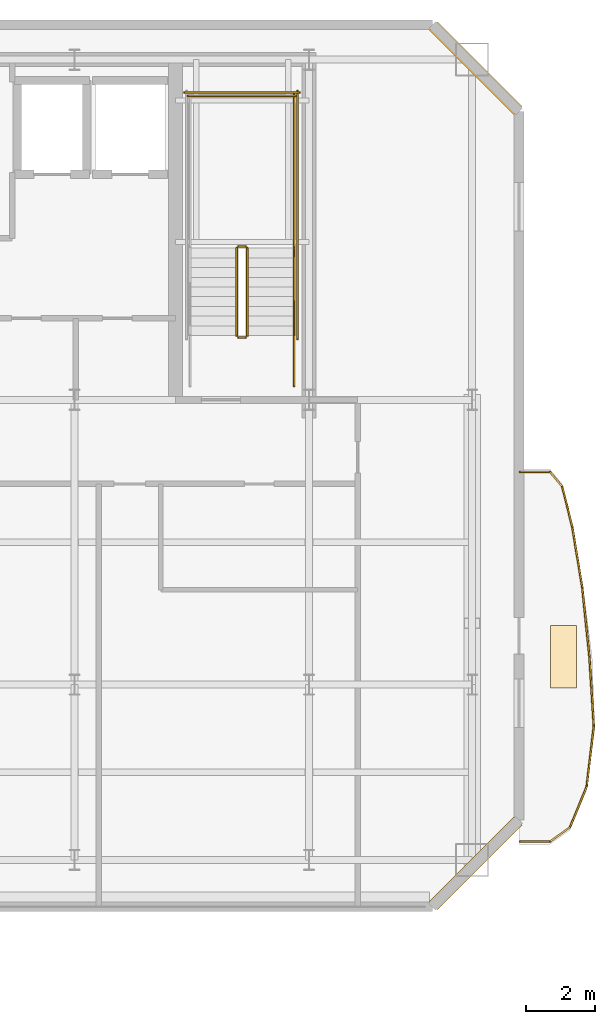
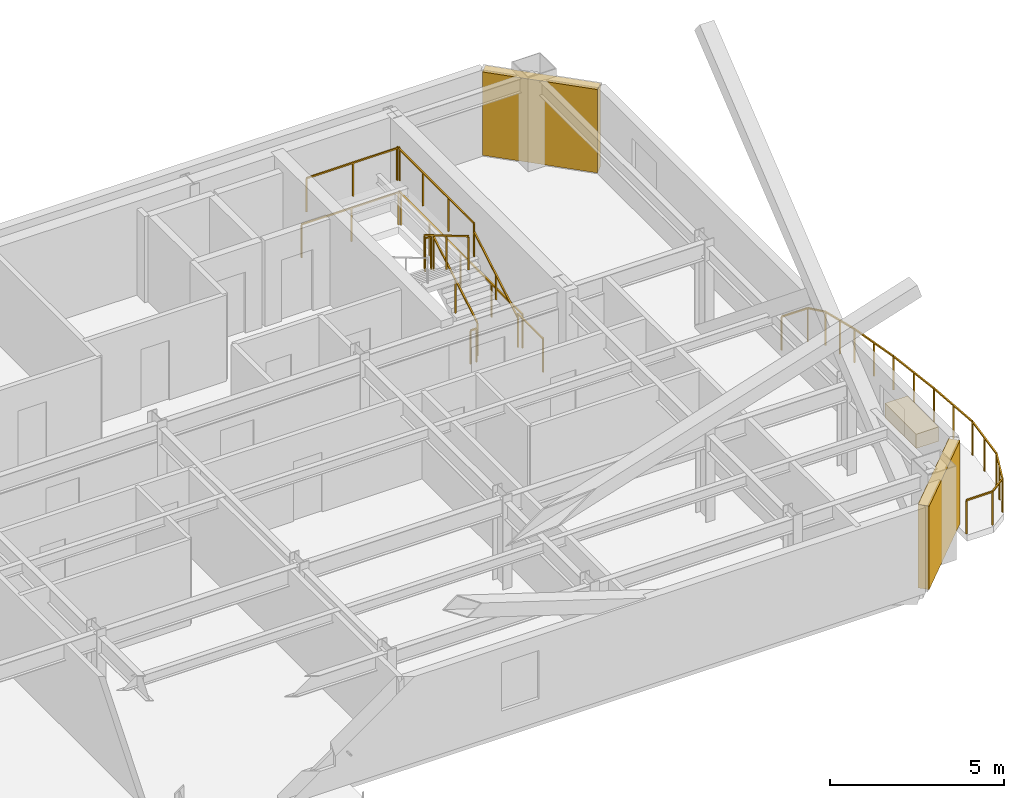
# One storey, part 7 of 7: 20 railings, 2 shading devices, 1 covering.
"""IFC4 building model written with IfcOpenShell, lengths in metres."""

from ifc_helpers import new_model, si_unit, direction, frame, origin, origin_2d, place, context, subcontext, project, spatial, rectangle, extrude, material, layer, layer_set, type_object, element, save


model = new_model("IFC4")

# Units and contexts
model_context = context("Model", 3, precision=1e-05, world=origin(), true_north=direction((0.0, 1.0)))
body_context = subcontext(model_context, "Body", "Model", "MODEL_VIEW")
ifc_project = project(units=[si_unit("LENGTHUNIT", "METRE"), si_unit("AREAUNIT", "SQUARE_METRE"), si_unit("VOLUMEUNIT", "CUBIC_METRE"), si_unit("PLANEANGLEUNIT", "RADIAN"), si_unit("MASSUNIT", "GRAM", prefix="KILO")], contexts=[model_context])

# Site, building, storey
site_placement = place(None, origin())
site = spatial("IfcSite", under=ifc_project, at=site_placement, CompositionType="ELEMENT")
building_placement = place(site_placement, origin())
building = spatial("IfcBuilding", under=site, at=building_placement, Name="Haevon Station Towers", CompositionType="ELEMENT")
storey_placement = place(building_placement, frame((0.0, 0.0, 259.199951171875)))
storey = spatial("IfcBuildingStorey", under=building, at=storey_placement, Name="L72", CompositionType="ELEMENT", Elevation=259.199951171875)

# Railings
ifc_material_1 = material(Name="Steel S355", Category="steel")
railing_type_1 = type_object("IfcRailingType", Name="GRD-EXT1200", PredefinedType="GUARDRAIL", material=ifc_material_1)
railing_1_placement = place(storey_placement, frame((57.073486328125, 25.477783203125, 0.0)))
element("IfcRailing", 1, at=railing_1_placement, inside=storey, type_object=railing_type_1, Name="L72 Perimeter Guardrail 1", PredefinedType="GUARDRAIL", context=body_context, shape_type="SweptSolid", body=[
    extrude(rectangle(XDim=0.048095703125, YDim=0.048095703125, at=origin_2d()), frame((0.0, 0.0, 1.17578125), z_axis=(0.999997476494, 0.002246554286, 0.0), x_axis=(-0.002246554286, 0.999997476494, 0.0)), (0.0, 0.0, 1.0), 0.869384765625),
    extrude(rectangle(XDim=0.0419921875, YDim=0.0419921875, at=origin_2d()), origin(), (0.0, 0.0, 1.0), 1.15185546875),
    extrude(rectangle(XDim=0.0419921875, YDim=0.0419921875, at=origin_2d()), frame((0.869384765625, 0.001953125, 0.0)), (0.0, 0.0, 1.0), 1.15185546875),
])
railing_2_placement = place(storey_placement, frame((57.94287109375, 25.479736328125, 0.0)))
element("IfcRailing", 2, at=railing_2_placement, inside=storey, type_object=railing_type_1, Name="L72 Perimeter Guardrail 2", PredefinedType="GUARDRAIL", context=body_context, shape_type="SweptSolid", body=[
    extrude(rectangle(XDim=0.048095703125, YDim=0.048095703125, at=origin_2d()), frame((0.0, 0.0, 1.17578125), z_axis=(0.812092296848, 0.583529006477, 0.0), x_axis=(-0.583529006477, 0.812092296848, 0.0)), (0.0, 0.0, 1.0), 0.705078125),
    extrude(rectangle(XDim=0.0419921875, YDim=0.0419921875, at=origin_2d()), origin(), (0.0, 0.0, 1.0), 1.15185546875),
    extrude(rectangle(XDim=0.0419921875, YDim=0.0419921875, at=origin_2d()), frame((0.572509765625, 0.411376953125, 0.0)), (0.0, 0.0, 1.0), 1.15185546875),
])
railing_3_placement = place(storey_placement, frame((58.515380859375, 25.89111328125, 0.0)))
element("IfcRailing", 3, at=railing_3_placement, inside=storey, type_object=railing_type_1, Name="L72 Perimeter Guardrail 3", PredefinedType="GUARDRAIL", context=body_context, shape_type="SweptSolid", body=[
    extrude(rectangle(XDim=0.048095703125, YDim=0.048095703125, at=origin_2d()), frame((0.0, 0.0, 1.17578125), z_axis=(0.379437630332, 0.925217317546, 0.0), x_axis=(-0.925217317546, 0.379437630332, 0.0)), (0.0, 0.0, 1.0), 1.263671875),
    extrude(rectangle(XDim=0.0419921875, YDim=0.0419921875, at=origin_2d()), origin(), (0.0, 0.0, 1.0), 1.15185546875),
    extrude(rectangle(XDim=0.0419921875, YDim=0.0419921875, at=origin_2d()), frame((0.23974609375, 0.58447265625, 0.0)), (0.0, 0.0, 1.0), 1.15185546875),
    extrude(rectangle(XDim=0.0419921875, YDim=0.0419921875, at=origin_2d()), frame((0.4794921875, 1.169189453125, 0.0)), (0.0, 0.0, 1.0), 1.15185546875),
])
railing_4_placement = place(storey_placement, frame((58.994873046875, 27.060302734375, 0.0)))
element("IfcRailing", 4, at=railing_4_placement, inside=storey, type_object=railing_type_1, Name="L72 Perimeter Guardrail 4", PredefinedType="GUARDRAIL", context=body_context, shape_type="SweptSolid", body=[
    extrude(rectangle(XDim=0.048095703125, YDim=0.048095703125, at=origin_2d()), frame((0.0, 0.0, 1.17578125), z_axis=(0.117711016598, 0.993047892386, 0.0), x_axis=(-0.993047892386, 0.117711016598, 0.0)), (0.0, 0.0, 1.0), 1.7587890625),
    extrude(rectangle(XDim=0.0419921875, YDim=0.0419921875, at=origin_2d()), origin(), (0.0, 0.0, 1.0), 1.15185546875),
    extrude(rectangle(XDim=0.0419921875, YDim=0.0419921875, at=origin_2d()), frame((0.103515625, 0.873291015625, 0.0)), (0.0, 0.0, 1.0), 1.15185546875),
    extrude(rectangle(XDim=0.0419921875, YDim=0.0419921875, at=origin_2d()), frame((0.20703125, 1.74658203125, 0.0)), (0.0, 0.0, 1.0), 1.15185546875),
])
railing_5_placement = place(storey_placement, frame((59.201904296875, 28.806884765625, 0.0)))
element("IfcRailing", 5, at=railing_5_placement, inside=storey, type_object=railing_type_1, Name="L72 Perimeter Guardrail 5", PredefinedType="GUARDRAIL", context=body_context, shape_type="SweptSolid", body=[
    extrude(rectangle(XDim=0.048095703125, YDim=0.048095703125, at=origin_2d()), frame((0.0, 0.0, 1.17578125), z_axis=(-0.06356545678, 0.997977671446, 0.0), x_axis=(-0.997977671446, -0.06356545678, 0.0)), (0.0, 0.0, 1.0), 1.997314453125),
    extrude(rectangle(XDim=0.0419921875, YDim=0.0419921875, at=origin_2d()), origin(), (0.0, 0.0, 1.0), 1.15185546875),
    extrude(rectangle(XDim=0.0419921875, YDim=0.0419921875, at=origin_2d()), frame((-0.0634765625, 0.99658203125, 0.0)), (0.0, 0.0, 1.0), 1.15185546875),
    extrude(rectangle(XDim=0.0419921875, YDim=0.0419921875, at=origin_2d()), frame((-0.126953125, 1.9931640625, 0.0)), (0.0, 0.0, 1.0), 1.15185546875),
])
railing_6_placement = place(storey_placement, frame((59.074951171875, 30.800048828125, 0.0)))
element("IfcRailing", 6, at=railing_6_placement, inside=storey, type_object=railing_type_1, Name="L72 Perimeter Guardrail 6", PredefinedType="GUARDRAIL", context=body_context, shape_type="SweptSolid", body=[
    extrude(rectangle(XDim=0.048095703125, YDim=0.048095703125, at=origin_2d()), frame((0.0, 0.0, 1.17578125), z_axis=(-0.102549270738, 0.994727926154, 0.0), x_axis=(-0.994727926154, -0.102549270738, 0.0)), (0.0, 0.0, 1.0), 1.999755859375),
    extrude(rectangle(XDim=0.0419921875, YDim=0.0419921875, at=origin_2d()), origin(), (0.0, 0.0, 1.0), 1.15185546875),
    extrude(rectangle(XDim=0.0419921875, YDim=0.0419921875, at=origin_2d()), frame((-0.1025390625, 0.99462890625, 0.0)), (0.0, 0.0, 1.0), 1.15185546875),
    extrude(rectangle(XDim=0.0419921875, YDim=0.0419921875, at=origin_2d()), frame((-0.205078125, 1.9892578125, 0.0)), (0.0, 0.0, 1.0), 1.15185546875),
])
railing_7_placement = place(storey_placement, frame((58.869873046875, 32.789306640625, 0.0)))
element("IfcRailing", 7, at=railing_7_placement, inside=storey, type_object=railing_type_1, Name="L72 Perimeter Guardrail 7", PredefinedType="GUARDRAIL", context=body_context, shape_type="SweptSolid", body=[
    extrude(rectangle(XDim=0.048095703125, YDim=0.048095703125, at=origin_2d()), frame((0.0, 0.0, 1.17578125), z_axis=(-0.162232317079, 0.986752590721, 0.0), x_axis=(-0.986752590721, -0.162232317079, 0.0)), (0.0, 0.0, 1.0), 1.772705078125),
    extrude(rectangle(XDim=0.0419921875, YDim=0.0419921875, at=origin_2d()), origin(), (0.0, 0.0, 1.0), 1.15185546875),
    extrude(rectangle(XDim=0.0419921875, YDim=0.0419921875, at=origin_2d()), frame((-0.143798828125, 0.87451171875, 0.0)), (0.0, 0.0, 1.0), 1.15185546875),
    extrude(rectangle(XDim=0.0419921875, YDim=0.0419921875, at=origin_2d()), frame((-0.28759765625, 1.749267578125, 0.0)), (0.0, 0.0, 1.0), 1.15185546875),
])
railing_8_placement = place(storey_placement, frame((58.582275390625, 34.53857421875, 0.0)))
element("IfcRailing", 8, at=railing_8_placement, inside=storey, type_object=railing_type_1, Name="L72 Perimeter Guardrail 8", PredefinedType="GUARDRAIL", context=body_context, shape_type="SweptSolid", body=[
    extrude(rectangle(XDim=0.048095703125, YDim=0.048095703125, at=origin_2d()), frame((0.0, 0.0, 1.17578125), z_axis=(-0.243392420276, 0.969927899254, 0.0), x_axis=(-0.969927899254, -0.243392420276, 0.0)), (0.0, 0.0, 1.0), 1.206787109375),
    extrude(rectangle(XDim=0.0419921875, YDim=0.0419921875, at=origin_2d()), origin(), (0.0, 0.0, 1.0), 1.15185546875),
    extrude(rectangle(XDim=0.0419921875, YDim=0.0419921875, at=origin_2d()), frame((-0.14697265625, 0.585205078125, 0.0)), (0.0, 0.0, 1.0), 1.15185546875),
    extrude(rectangle(XDim=0.0419921875, YDim=0.0419921875, at=origin_2d()), frame((-0.293701171875, 1.17041015625, 0.0)), (0.0, 0.0, 1.0), 1.15185546875),
])
railing_9_placement = place(storey_placement, frame((58.28857421875, 35.708984375, 0.0)))
element("IfcRailing", 9, at=railing_9_placement, inside=storey, type_object=railing_type_1, Name="L72 Perimeter Guardrail 9", PredefinedType="GUARDRAIL", context=body_context, shape_type="SweptSolid", body=[
    extrude(rectangle(XDim=0.048095703125, YDim=0.048095703125, at=origin_2d()), frame((0.0, 0.0, 1.17578125), z_axis=(-0.643575732085, 0.76538243844, 0.0), x_axis=(-0.76538243844, -0.643575732085, 0.0)), (0.0, 0.0, 1.0), 0.537109375),
    extrude(rectangle(XDim=0.0419921875, YDim=0.0419921875, at=origin_2d()), origin(), (0.0, 0.0, 1.0), 1.15185546875),
    extrude(rectangle(XDim=0.0419921875, YDim=0.0419921875, at=origin_2d()), frame((-0.345703125, 0.4111328125, 0.0)), (0.0, 0.0, 1.0), 1.15185546875),
])
railing_10_placement = place(storey_placement, frame((57.94287109375, 36.1201171875, 0.0)))
element("IfcRailing", 10, at=railing_10_placement, inside=storey, type_object=railing_type_1, Name="L72 Perimeter Guardrail 10", PredefinedType="GUARDRAIL", context=body_context, shape_type="SweptSolid", body=[
    extrude(rectangle(XDim=0.048095703125, YDim=0.048095703125, at=origin_2d()), frame((0.0, 0.0, 1.17578125), z_axis=(-0.999997476494, 0.002246554286, 0.0), x_axis=(-0.002246554286, -0.999997476494, 0.0)), (0.0, 0.0, 1.0), 0.869384765625),
    extrude(rectangle(XDim=0.0419921875, YDim=0.0419921875, at=origin_2d()), origin(), (0.0, 0.0, 1.0), 1.15185546875),
    extrude(rectangle(XDim=0.0419921875, YDim=0.0419921875, at=origin_2d()), frame((-0.869384765625, 0.001953125, 0.0)), (0.0, 0.0, 1.0), 1.15185546875),
])
railing_type_2 = type_object("IfcRailingType", Name="GRD-STR1200", PredefinedType="GUARDRAIL", material=ifc_material_1)
railing_11_placement = place(storey_placement, frame((49.219970703125, 40.050048828125, 0.1650390625)))
element("IfcRailing", 11, at=railing_11_placement, inside=storey, type_object=railing_type_2, Name="L72 ST2 Stair Guard 1", PredefinedType="GUARDRAIL", context=body_context, shape_type="SweptSolid", body=[
    extrude(rectangle(XDim=0.048095703125, YDim=0.048095703125, at=origin_2d()), frame((0.0, 0.0, 1.17578125), z_axis=(0.0, 0.86152411907, 0.507716645641), x_axis=(-1.0, 0.0, 0.0)), (0.0, 0.0, 1.0), 2.925048828125),
    extrude(rectangle(XDim=0.0419921875, YDim=0.0419921875, at=origin_2d()), origin(), (0.0, 0.0, 1.0), 1.15185546875),
    extrude(rectangle(XDim=0.0419921875, YDim=0.0419921875, at=origin_2d()), frame((0.0, 1.260009765625, 0.74267578125)), (0.0, 0.0, 1.0), 1.15185546875),
    extrude(rectangle(XDim=0.0419921875, YDim=0.0419921875, at=origin_2d()), frame((0.0, 2.52001953125, 1.485107421875)), (0.0, 0.0, 1.0), 1.15185546875),
])
railing_12_placement = place(storey_placement, frame((49.169921875, 42.6201171875, 1.650146484375)))
element("IfcRailing", 12, at=railing_12_placement, inside=storey, type_object=railing_type_2, Name="L72 ST2 Stair Guard 2", PredefinedType="GUARDRAIL", context=body_context, shape_type="SweptSolid", body=[
    extrude(rectangle(XDim=0.048095703125, YDim=0.048095703125, at=origin_2d()), frame((0.0, 0.0, 1.17578125), z_axis=(-1.0, 0.0, 0.0), x_axis=(0.0, -1.0, 0.0)), (0.0, 0.0, 1.0), 0.199951171875),
    extrude(rectangle(XDim=0.0419921875, YDim=0.0419921875, at=origin_2d()), origin(), (0.0, 0.0, 1.0), 1.15185546875),
    extrude(rectangle(XDim=0.0419921875, YDim=0.0419921875, at=origin_2d()), frame((-0.199951171875, 0.0, 0.0)), (0.0, 0.0, 1.0), 1.15185546875),
])
railing_13_placement = place(storey_placement, frame((50.570068359375, 42.570068359375, 1.650146484375)))
element("IfcRailing", 13, at=railing_13_placement, inside=storey, type_object=railing_type_2, Name="L72 ST2 Stair Guard 3", PredefinedType="GUARDRAIL", context=body_context, shape_type="SweptSolid", body=[
    extrude(rectangle(XDim=0.048095703125, YDim=0.048095703125, at=origin_2d()), frame((0.0, 0.0, 1.17578125), z_axis=(0.0, 1.0, 0.0), x_axis=(-1.0, 0.0, 0.0)), (0.0, 0.0, 1.0), 4.429931640625),
    extrude(rectangle(XDim=0.0419921875, YDim=0.0419921875, at=origin_2d()), origin(), (0.0, 0.0, 1.0), 1.15185546875),
    extrude(rectangle(XDim=0.0419921875, YDim=0.0419921875, at=origin_2d()), frame((0.0, 1.4765625, 0.0)), (0.0, 0.0, 1.0), 1.15185546875),
    extrude(rectangle(XDim=0.0419921875, YDim=0.0419921875, at=origin_2d()), frame((0.0, 2.953369140625, 0.0)), (0.0, 0.0, 1.0), 1.15185546875),
    extrude(rectangle(XDim=0.0419921875, YDim=0.0419921875, at=origin_2d()), frame((0.0, 4.429931640625, 0.0)), (0.0, 0.0, 1.0), 1.15185546875),
])
railing_14_placement = place(storey_placement, frame((50.6201171875, 46.949951171875, 1.650146484375)))
element("IfcRailing", 14, at=railing_14_placement, inside=storey, type_object=railing_type_2, Name="L72 ST2 Stair Guard 5", PredefinedType="GUARDRAIL", context=body_context, shape_type="SweptSolid", body=[
    extrude(rectangle(XDim=0.048095703125, YDim=0.048095703125, at=origin_2d()), frame((0.0, 0.0, 1.17578125), z_axis=(-1.0, 0.0, 0.0), x_axis=(0.0, -1.0, 0.0)), (0.0, 0.0, 1.0), 3.10009765625),
    extrude(rectangle(XDim=0.0419921875, YDim=0.0419921875, at=origin_2d()), origin(), (0.0, 0.0, 1.0), 1.15185546875),
    extrude(rectangle(XDim=0.0419921875, YDim=0.0419921875, at=origin_2d()), frame((-1.550048828125, 0.0, 0.0)), (0.0, 0.0, 1.0), 1.15185546875),
    extrude(rectangle(XDim=0.0419921875, YDim=0.0419921875, at=origin_2d()), frame((-3.10009765625, 0.0, 0.0)), (0.0, 0.0, 1.0), 1.15185546875),
])
railing_15_placement = place(storey_placement, frame((48.919921875, 42.570068359375, 1.81494140625)))
element("IfcRailing", 15, at=railing_15_placement, inside=storey, type_object=railing_type_2, Name="L72 ST2 Stair Guard 6", PredefinedType="GUARDRAIL", context=body_context, shape_type="SweptSolid", body=[
    extrude(rectangle(XDim=0.048095703125, YDim=0.048095703125, at=origin_2d()), frame((0.0, 0.0, 1.17578125), z_axis=(0.0, -0.86152411907, 0.507716645641), x_axis=(1.0, 0.0, 0.0)), (0.0, 0.0, 1.0), 2.925048828125),
    extrude(rectangle(XDim=0.0419921875, YDim=0.0419921875, at=origin_2d()), origin(), (0.0, 0.0, 1.0), 1.15185546875),
    extrude(rectangle(XDim=0.0419921875, YDim=0.0419921875, at=origin_2d()), frame((0.0, -1.260009765625, 0.74267578125)), (0.0, 0.0, 1.0), 1.15185546875),
    extrude(rectangle(XDim=0.0419921875, YDim=0.0419921875, at=origin_2d()), frame((0.0, -2.52001953125, 1.485107421875)), (0.0, 0.0, 1.0), 1.15185546875),
])
railing_16_placement = place(storey_placement, frame((49.169921875, 40.0, 0.0)))
element("IfcRailing", 16, at=railing_16_placement, inside=storey, type_object=railing_type_2, Name="L72 ST2 Stair Guard 7", PredefinedType="GUARDRAIL", context=body_context, shape_type="SweptSolid", body=[
    extrude(rectangle(XDim=0.048095703125, YDim=0.048095703125, at=origin_2d()), frame((0.0, 0.0, 1.17578125), z_axis=(-1.0, 0.0, 0.0), x_axis=(0.0, -1.0, 0.0)), (0.0, 0.0, 1.0), 0.199951171875),
    extrude(rectangle(XDim=0.0419921875, YDim=0.0419921875, at=origin_2d()), origin(), (0.0, 0.0, 1.0), 1.15185546875),
    extrude(rectangle(XDim=0.0419921875, YDim=0.0419921875, at=origin_2d()), frame((-0.199951171875, 0.0, 0.0)), (0.0, 0.0, 1.0), 1.15185546875),
])
railing_17_placement = place(storey_placement, frame((50.570068359375, 38.60009765625, 0.0)))
element("IfcRailing", 17, at=railing_17_placement, inside=storey, type_object=railing_type_2, Name="L72 ST2 Stair Guard 8", PredefinedType="GUARDRAIL", context=body_context, shape_type="SweptSolid", body=[
    extrude(rectangle(XDim=0.048095703125, YDim=0.048095703125, at=origin_2d()), frame((0.0, 0.0, 1.17578125), z_axis=(0.0, 1.0, 0.0), x_axis=(-1.0, 0.0, 0.0)), (0.0, 0.0, 1.0), 1.449951171875),
    extrude(rectangle(XDim=0.0419921875, YDim=0.0419921875, at=origin_2d()), origin(), (0.0, 0.0, 1.0), 1.15185546875),
    extrude(rectangle(XDim=0.0419921875, YDim=0.0419921875, at=origin_2d()), frame((0.0, 1.449951171875, 0.0)), (0.0, 0.0, 1.0), 1.15185546875),
])
railing_18_placement = place(storey_placement, frame((50.669921875, 39.949951171875, 0.0)))
element("IfcRailing", 18, at=railing_18_placement, inside=storey, type_object=railing_type_2, Name="L72 ST2 Stair Guard 10", PredefinedType="GUARDRAIL", context=body_context, shape_type="SweptSolid", body=[
    extrude(rectangle(XDim=0.048095703125, YDim=0.048095703125, at=origin_2d()), frame((0.0, 0.0, 1.17578125), z_axis=(0.0, 1.0, 0.0), x_axis=(-1.0, 0.0, 0.0)), (0.0, 0.0, 1.0), 7.150146484375),
    extrude(rectangle(XDim=0.0419921875, YDim=0.0419921875, at=origin_2d()), origin(), (0.0, 0.0, 1.0), 1.15185546875),
    extrude(rectangle(XDim=0.0419921875, YDim=0.0419921875, at=origin_2d()), frame((0.0, 1.78759765625, 0.0)), (0.0, 0.0, 1.0), 1.15185546875),
    extrude(rectangle(XDim=0.0419921875, YDim=0.0419921875, at=origin_2d()), frame((0.0, 3.5751953125, 0.0)), (0.0, 0.0, 1.0), 1.15185546875),
    extrude(rectangle(XDim=0.0419921875, YDim=0.0419921875, at=origin_2d()), frame((0.0, 5.362548828125, 0.0)), (0.0, 0.0, 1.0), 1.15185546875),
    extrude(rectangle(XDim=0.0419921875, YDim=0.0419921875, at=origin_2d()), frame((0.0, 7.150146484375, 0.0)), (0.0, 0.0, 1.0), 1.15185546875),
])
railing_19_placement = place(storey_placement, frame((50.719970703125, 47.050048828125, 0.0)))
element("IfcRailing", 19, at=railing_19_placement, inside=storey, type_object=railing_type_2, Name="L72 ST2 Stair Guard 12", PredefinedType="GUARDRAIL", context=body_context, shape_type="SweptSolid", body=[
    extrude(rectangle(XDim=0.048095703125, YDim=0.048095703125, at=origin_2d()), frame((0.0, 0.0, 1.17578125), z_axis=(-1.0, 0.0, 0.0), x_axis=(0.0, -1.0, 0.0)), (0.0, 0.0, 1.0), 3.300048828125),
    extrude(rectangle(XDim=0.0419921875, YDim=0.0419921875, at=origin_2d()), origin(), (0.0, 0.0, 1.0), 1.15185546875),
    extrude(rectangle(XDim=0.0419921875, YDim=0.0419921875, at=origin_2d()), frame((-1.64990234375, 0.0, 0.0)), (0.0, 0.0, 1.0), 1.15185546875),
    extrude(rectangle(XDim=0.0419921875, YDim=0.0419921875, at=origin_2d()), frame((-3.300048828125, 0.0, 0.0)), (0.0, 0.0, 1.0), 1.15185546875),
])
railing_type_3 = type_object("IfcRailingType", Name="HND-STR900", PredefinedType="HANDRAIL", material=ifc_material_1)
railing_20_placement = place(storey_placement, frame((50.570068359375, 40.050048828125, 0.1650390625)))
element("IfcRailing", 20, at=railing_20_placement, inside=storey, type_object=railing_type_3, Name="L72 ST2 Stair Handrail 1", PredefinedType="HANDRAIL", context=body_context, shape_type="SweptSolid", body=[
    extrude(rectangle(XDim=0.048095703125, YDim=0.048095703125, at=origin_2d()), frame((0.0, 0.0, 0.8759765625), z_axis=(0.0, 0.86152411907, 0.507716645641), x_axis=(-1.0, 0.0, 0.0)), (0.0, 0.0, 1.0), 2.925048828125),
    extrude(rectangle(XDim=0.0419921875, YDim=0.0419921875, at=origin_2d()), origin(), (0.0, 0.0, 1.0), 0.851806640625),
    extrude(rectangle(XDim=0.0419921875, YDim=0.0419921875, at=origin_2d()), frame((0.0, 1.260009765625, 0.74267578125)), (0.0, 0.0, 1.0), 0.851806640625),
    extrude(rectangle(XDim=0.0419921875, YDim=0.0419921875, at=origin_2d()), frame((0.0, 2.52001953125, 1.485107421875)), (0.0, 0.0, 1.0), 0.851806640625),
])

# Covering
ifc_material_2 = material(Name="Architectural planter GRC", Category="concrete")
ifc_layer_1 = layer(ifc_material_2, 0.550048828125)
ifc_layer_set_1 = layer_set([ifc_layer_1], Name="Architectural planter GRC")
covering_type = type_object("IfcCoveringType", Name="PLN-GRC550", PredefinedType="MOLDING", material=ifc_layer_set_1)
covering_placement = place(storey_placement, frame((58.333251953125, 30.800048828125, 0.0), z_axis=(0.0, 0.0, 1.0), x_axis=(1.0, 0.0, 0.0)))
element("IfcCovering", 21, at=covering_placement, inside=storey, type_object=covering_type, Name="Tower 1 L72 Scalloped Balcony PLANTER", PredefinedType="MOLDING", context=body_context, shape_type="SweptSolid", body=[
    extrude(rectangle(XDim=0.75, YDim=1.800048828125, at=origin_2d()), origin(), (0.0, 0.0, 1.0), 0.5),
])

# Shading devices
ifc_material_3 = material(Name="Anodised aluminium 6063-T6", Category="aluminium")
ifc_layer_2 = layer(ifc_material_3, 0.139892578125)
ifc_layer_set_2 = layer_set([ifc_layer_2], Name="Anodised aluminium 6063-T6")
shading_device_type = type_object("IfcShadingDeviceType", Name="SHD-WIND-BAFFLE", PredefinedType="SHUTTER", material=ifc_layer_set_2)
for number, where, z_axis, x_axis, name in (
    (22, (55.800048828125, 47.75, 0.05029296875), (0.0, 0.0, 1.0), (0.707106781187, -0.707106781187, 0.0), "Tower 1 L72 Wind-Corner Aerofoil Baffle NEC"),
    (23, (55.800048828125, 24.85009765625, 0.05029296875), (0.0, 0.0, 1.0), (-0.707106781187, -0.707106781187, 0.0), "Tower 1 L72 Wind-Corner Aerofoil Baffle SEC"),
):
    element("IfcShadingDevice", number, at=place(storey_placement, frame(where, z_axis=z_axis, x_axis=x_axis)), inside=storey, type_object=shading_device_type, Name=name, PredefinedType="SHUTTER", context=body_context, shape_type="SweptSolid", body=[
        extrude(rectangle(XDim=3.435546875, YDim=0.340087890625, at=origin_2d()), origin(), (0.0, 0.0, 1.0), 2.929931640625),
    ])

save(model, "model.ifc")
